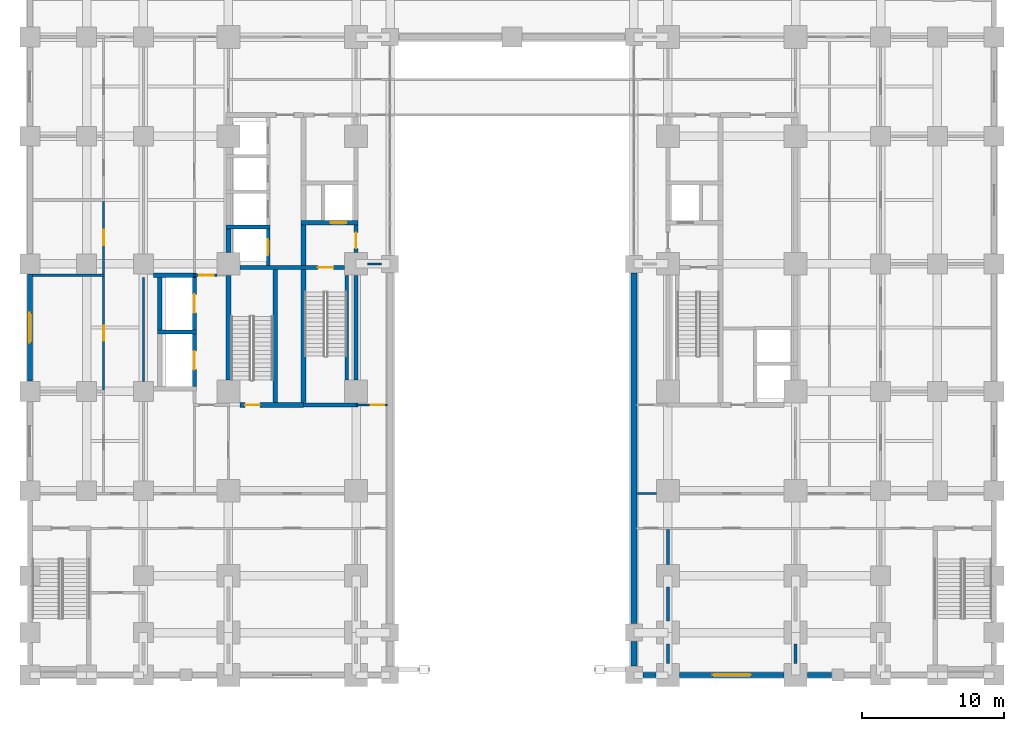
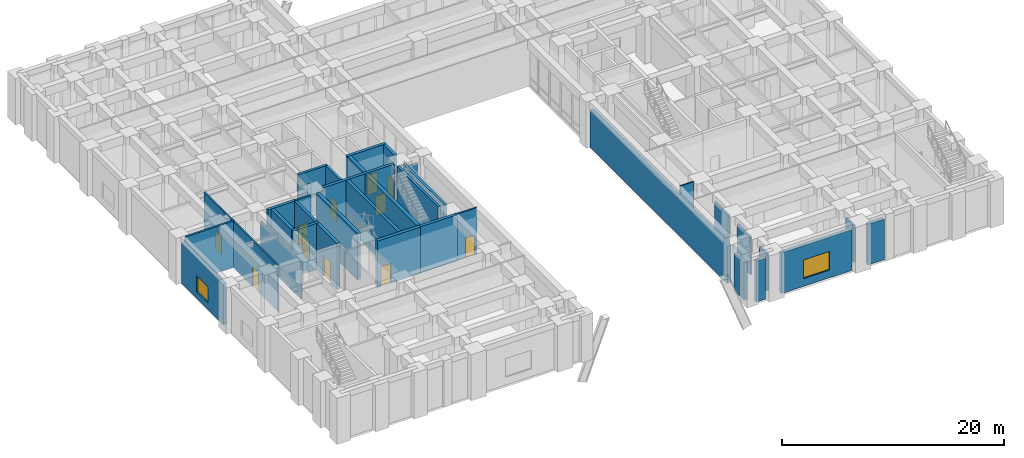
# One storey, part 11 of 23: 37 walls, 11 doors, 2 windows, 13 openings.
"""IFC4 building model written with IfcOpenShell, lengths in metres."""

import ifcopenshell
import ifcopenshell.guid

model = None  # the IFC model being written
_history = None  # IfcOwnerHistory: only IFC2X3 demands one
_inside = {}  # id of a spatial element -> (the spatial element, [elements in it])
_under = {}  # id of a project, library or spatial element -> (it, [spatial elements below it])
_declared = {}  # id of a project -> (the project, [libraries it declares])
_typed = {}  # id of a type object -> (the type object, [elements of that type])
_made_of = {}  # id of a material, layer set ... -> (it, [elements and type objects made of it])


def new_model(schema):
    """Start an empty IFC model of exactly this schema.

    Asked for "IFC4X3", IfcOpenShell would pick the latest addendum, in which some entities
    have other attributes; the version numbers below select the first issue.
    IFC2X3 requires an IfcOwnerHistory on every rooted entity: one is made here for all.
    """
    global model, _history
    if schema == "IFC4X3":
        model = ifcopenshell.file(schema_version=(4, 3, 0, 0))
    else:
        model = ifcopenshell.file(schema=schema)
    _inside.clear()
    _under.clear()
    _declared.clear()
    _typed.clear()
    _made_of.clear()
    _history = None
    if model.schema == "IFC2X3":
        org = make("IfcOrganization", Name="unknown")
        user = make(
            "IfcPersonAndOrganization",
            ThePerson=make("IfcPerson", FamilyName="unknown"),
            TheOrganization=org,
        )
        app = make(
            "IfcApplication",
            ApplicationDeveloper=org,
            Version="unknown",
            ApplicationFullName="unknown",
            ApplicationIdentifier="unknown",
        )
        _history = make(
            "IfcOwnerHistory",
            OwningUser=user,
            OwningApplication=app,
            ChangeAction="ADDED",
            CreationDate=0,
        )
    return model


def make(cls, **values):
    """One entity of the class cls with the attributes given. An attribute that is None is left unset."""
    return model.create_entity(
        cls, **{name: value for name, value in values.items() if value is not None}
    )


def rooted(cls, **values):
    """An entity with a GlobalId (a new one), such as an element, a storey or a relation."""
    return make(cls, GlobalId=ifcopenshell.guid.new(), OwnerHistory=_history, **values)


def si_unit(unit_type, name, prefix=None):
    """IfcSIUnit, for example si_unit("LENGTHUNIT", "METRE", prefix="MILLI")."""
    return make("IfcSIUnit", UnitType=unit_type, Prefix=prefix, Name=name)


def assignment(units):
    """IfcUnitAssignment: the units of a project."""
    return None if units is None else make("IfcUnitAssignment", Units=units)


def point(xyz):
    """IfcCartesianPoint."""
    return None if xyz is None else make("IfcCartesianPoint", Coordinates=xyz)


def direction(xyz):
    """IfcDirection."""
    return None if xyz is None else make("IfcDirection", DirectionRatios=xyz)


def frame(location, z_axis=None, x_axis=None):
    """IfcAxis2Placement3D, a coordinate frame: its origin and axes. An axis left out is left unset."""
    return make(
        "IfcAxis2Placement3D",
        Location=point(location),
        Axis=direction(z_axis),
        RefDirection=direction(x_axis),
    )


def frame_2d(location, x_axis=None):
    """IfcAxis2Placement2D, a coordinate frame in the plane: its origin and x axis."""
    return make(
        "IfcAxis2Placement2D", Location=point(location), RefDirection=direction(x_axis)
    )


def origin():
    """The frame at (0, 0, 0) with its axes left unset."""
    return frame((0.0, 0.0, 0.0))


def place(relative_to, where):
    """IfcLocalPlacement: puts the frame where relative to a parent placement (None: the world)."""
    return make(
        "IfcLocalPlacement", PlacementRelTo=relative_to, RelativePlacement=where
    )


def context(
    kind, dimensions, precision=None, world=None, true_north=None, identifier=None
):
    """IfcGeometricRepresentationContext, for example the 3D "Model" context."""
    return make(
        "IfcGeometricRepresentationContext",
        ContextIdentifier=identifier,
        ContextType=kind,
        CoordinateSpaceDimension=dimensions,
        Precision=precision,
        WorldCoordinateSystem=world,
        TrueNorth=true_north,
    )


def subcontext(parent, identifier, kind, view, scale=None):
    """IfcGeometricRepresentationSubContext, for example "Body" below "Model"."""
    return make(
        "IfcGeometricRepresentationSubContext",
        ContextIdentifier=identifier,
        ContextType=kind,
        ParentContext=parent,
        TargetScale=scale,
        TargetView=view,
    )


def project(units=None, contexts=None):
    """IfcProject with its units and contexts."""
    return rooted(
        "IfcProject",
        Name="project",
        RepresentationContexts=contexts,
        UnitsInContext=assignment(units),
    )


def spatial(cls, under=None, at=None, **own):
    """A site, building, storey or space (cls), placed at a placement, below another one or the project."""
    s = rooted(cls, ObjectPlacement=at, **own)
    if under is not None:
        _under.setdefault(under.id(), (under, []))[1].append(s)
    return s


def profile(cls, at=None, kind="AREA", **sizes):
    """A parametric profile (cls). Its sizes go by their IFC names, for example OverallWidth=200.0."""
    return make(cls, ProfileType=kind, Position=at, **sizes)


def rectangle(**sizes):
    """IfcRectangleProfileDef."""
    return profile("IfcRectangleProfileDef", **sizes)


def extrude(swept, where, along, depth):
    """IfcExtrudedAreaSolid: the profile swept, set in the frame where, extruded along a direction by depth."""
    return make(
        "IfcExtrudedAreaSolid",
        SweptArea=swept,
        Position=where,
        ExtrudedDirection=direction(along),
        Depth=depth,
    )


def shape(context_of_items, identifier, shape_type, items):
    """IfcShapeRepresentation: the items that make up one representation, for example the "Body"."""
    return make(
        "IfcShapeRepresentation",
        ContextOfItems=context_of_items,
        RepresentationIdentifier=identifier,
        RepresentationType=shape_type,
        Items=items,
    )


def material(Name=None, Category=None):
    """IfcMaterial."""
    return make("IfcMaterial", Name=Name, Category=Category)


def layer(
    of_material, thickness, ventilated=None, Name=None, Category=None, Priority=None
):
    """IfcMaterialLayer: one layer of a wall or slab, of a material (None: an air gap)."""
    return make(
        "IfcMaterialLayer",
        Material=of_material,
        LayerThickness=thickness,
        IsVentilated=ventilated,
        Name=Name,
        Category=Category,
        Priority=Priority,
    )


def layer_set(layers, Name=None):
    """IfcMaterialLayerSet."""
    return make("IfcMaterialLayerSet", MaterialLayers=layers, LayerSetName=Name)


def made_of(thing, what):
    """Note that an element or type object is made of a material, layer set ...; save() writes the relation."""
    if what is not None:
        _made_of.setdefault(what.id(), (what, []))[1].append(thing)
    return thing


def type_object(cls, material=None, **own):
    """A type object (cls), such as IfcWallType, which elements share."""
    return made_of(rooted(cls, **own), material)


def element(
    cls,
    number,
    at=None,
    inside=None,
    cuts=None,
    type_object=None,
    material=None,
    context=None,
    identifier="Body",
    shape_type=None,
    held_by="IfcProductDefinitionShape",
    body=None,
    shapes=None,
    **own,
):
    """One element of the class cls, such as IfcWall. Its Tag is "e" and its number.

    at: its placement. inside: the storey or other place that contains it. cuts: it is an
    opening in that element (IfcRelVoidsElement). A single representation is given by context,
    identifier, shape_type and body (its items); several are given by shapes. held_by: the class
    of the entity that holds the representations. save() writes the other relations.
    """
    e = rooted(cls, Tag="e%d" % number, ObjectPlacement=at, **own)
    if body is not None:
        shapes = [shape(context, identifier, shape_type, body)]
    if shapes is not None:
        e.Representation = make(held_by, Representations=shapes)
    if inside is not None:
        _inside.setdefault(inside.id(), (inside, []))[1].append(e)
    if cuts is not None:
        rooted(
            "IfcRelVoidsElement", RelatingBuildingElement=cuts, RelatedOpeningElement=e
        )
    if type_object is not None:
        _typed.setdefault(type_object.id(), (type_object, []))[1].append(e)
    return made_of(e, material)


def fill(opening, filler):
    """IfcRelFillsElement: the door or window that sits in an opening."""
    return rooted(
        "IfcRelFillsElement",
        RelatingOpeningElement=opening,
        RelatedBuildingElement=filler,
    )


def aggregate(whole, parts):
    """IfcRelAggregates: a whole, such as a stair, and the parts it consists of."""
    return rooted("IfcRelAggregates", RelatingObject=whole, RelatedObjects=parts)


def save(model, path):
    """Write the relations noted so far, then the file.

    IfcRelAggregates (storeys below a building ...), IfcRelContainedInSpatialStructure (elements
    in a storey), IfcRelDefinesByType, IfcRelAssociatesMaterial and IfcRelDeclares: one each for
    every whole, place, type object, material and project.
    """
    for whole, parts in _under.values():
        aggregate(whole, parts)
    for where, things in _inside.values():
        rooted(
            "IfcRelContainedInSpatialStructure",
            RelatedElements=things,
            RelatingStructure=where,
        )
    for kind, things in _typed.values():
        rooted("IfcRelDefinesByType", RelatedObjects=things, RelatingType=kind)
    for what, things in _made_of.values():
        rooted("IfcRelAssociatesMaterial", RelatedObjects=things, RelatingMaterial=what)
    for by, libraries in _declared.values():
        rooted("IfcRelDeclares", RelatingContext=by, RelatedDefinitions=libraries)
    model.write(path)


model = new_model("IFC4")

# Units and contexts
model_context = context("Model", 3, precision=1e-05, world=origin(), true_north=direction((0.0, 1.0)))
body_context = subcontext(model_context, "Body", "Model", "MODEL_VIEW")
ifc_project = project(units=[si_unit("LENGTHUNIT", "METRE"), si_unit("AREAUNIT", "SQUARE_METRE"), si_unit("VOLUMEUNIT", "CUBIC_METRE"), si_unit("PLANEANGLEUNIT", "RADIAN"), si_unit("MASSUNIT", "GRAM", prefix="KILO")], contexts=[model_context])

# Site, building, storey
site_placement = place(None, origin())
site = spatial("IfcSite", under=ifc_project, at=site_placement, CompositionType="ELEMENT")
building_placement = place(site_placement, origin())
building = spatial("IfcBuilding", under=site, at=building_placement, Name="Zulmaris Gate Convention Tower", CompositionType="ELEMENT")
storey_placement = place(building_placement, frame((0.0, 0.0, 10.8798828125)))
storey = spatial("IfcBuildingStorey", under=building, at=storey_placement, Name="L02", CompositionType="ELEMENT", Elevation=10.8798828125)

# Wall
ifc_material_1 = material(Name="Concrete C50/60", Category="concrete")
ifc_layer_1 = layer(ifc_material_1, 0.25, Name="Concrete C50/60")
ifc_layer_set_1 = layer_set([ifc_layer_1], Name="Concrete C50/60")
wall_type_1 = type_object("IfcWallType", Name="CORE-250", PredefinedType="SOLIDWALL", material=ifc_layer_set_1)
wall_1_placement = place(storey_placement, frame((-20.175048828125, 2.60009765625, 0.0), z_axis=(0.0, 0.0, 1.0), x_axis=(1.0, 0.0, 0.0)))
element("IfcWall", 1, at=wall_1_placement, inside=storey, type_object=wall_type_1, Name="WL-L02-016", PredefinedType="SOLIDWALL", context=body_context, shape_type="SweptSolid", body=[
    extrude(rectangle(XDim=3.10009765625, YDim=0.25, at=frame_2d((1.550048828125, 0.0))), origin(), (0.0, 0.0, 1.0), 5.09033203125),
])

# Wall, opening, door
wall_2_placement = place(storey_placement, frame((-17.199951171875, -0.097900390625, 0.0), z_axis=(0.0, 0.0, 1.0), x_axis=(0.0, 1.0, 0.0)))
wall_2 = element("IfcWall", 2, at=wall_2_placement, inside=storey, type_object=wall_type_1, Name="WL-L02-076", PredefinedType="SOLIDWALL", context=body_context, shape_type="SweptSolid", body=[
    extrude(rectangle(XDim=2.57080078125, YDim=0.25, at=frame_2d((1.285400390625, 0.0))), origin(), (0.0, 0.0, 1.0), 5.09033203125),
])
opening_1_placement = place(wall_2_placement, frame((0.722900390625, 0.0, 0.0)))
opening_1 = element("IfcOpeningElement", 3, at=opening_1_placement, cuts=wall_2, Name="Opening D-06", PredefinedType="OPENING", context=body_context, shape_type="SweptSolid", body=[
    extrude(rectangle(XDim=1.10009765625, YDim=2.199951171875, at=frame_2d((0.550048828125, 1.10009765625))), frame((0.0, 0.135009765625, 0.0), z_axis=(0.0, -1.0, 0.0), x_axis=(1.0, 0.0, 0.0)), (0.0, 0.0, 1.0), 0.27001953125),
])
ifc_material_2 = material(Name="Brushed Stainless Steel", Category="steel")
door_type_1 = type_object("IfcDoorType", Name="LD-1100", OperationType="NOTDEFINED", PredefinedType="DOOR", material=ifc_material_2)
door_1_placement = place(opening_1_placement, origin())
door_1 = element("IfcDoor", 4, at=door_1_placement, inside=storey, type_object=door_type_1, Name="L02 Lift Landing Door LP-01 11", OperationType="SLIDING_TO_LEFT", OverallHeight=2.199951171875, OverallWidth=1.10009765625, PredefinedType="DOOR", context=body_context, shape_type="SweptSolid", body=[
    extrude(rectangle(XDim=1.10009765625, YDim=2.199951171875, at=frame_2d((0.550048828125, 1.10009765625))), frame((0.0, 0.02490234375, 0.0), z_axis=(0.0, -1.0, 0.0), x_axis=(1.0, 0.0, 0.0)), (0.0, 0.0, 1.0), 0.050048828125),
])
fill(opening_1, door_1)

# Walls
wall_3_placement = place(storey_placement, frame((-11.64990234375, -8.196044921875, 0.0), z_axis=(0.0, 0.0, 1.0), x_axis=(0.0, 1.0, 0.0)))
element("IfcWall", 5, at=wall_3_placement, inside=storey, type_object=wall_type_1, Name="WL-L02-086", PredefinedType="SOLIDWALL", context=body_context, shape_type="SweptSolid", body=[
    extrude(rectangle(XDim=7.39208984375, YDim=0.25, at=frame_2d((3.696044921875, 0.0))), origin(), (0.0, 0.0, 1.0), 5.09033203125),
])
ifc_layer_2 = layer(ifc_material_1, 0.300048828125, Name="Concrete C50/60")
ifc_layer_set_2 = layer_set([ifc_layer_2], Name="Concrete C50/60")
wall_type_2 = type_object("IfcWallType", Name="CORE-300", PredefinedType="SHEAR", material=ifc_layer_set_2)
wall_4_placement = place(storey_placement, frame((-14.699951171875, -9.949951171875, 0.0), z_axis=(0.0, 0.0, 1.0), x_axis=(1.0, 0.0, 0.0)))
element("IfcWall", 6, at=wall_4_placement, inside=storey, type_object=wall_type_2, Name="WL-L02-006", PredefinedType="SHEAR", context=body_context, shape_type="SweptSolid", body=[
    extrude(rectangle(XDim=3.849853515625, YDim=0.300048828125, at=frame_2d((1.9248046875, 0.0))), origin(), (0.0, 0.0, 1.0), 5.09033203125),
])
wall_5_placement = place(storey_placement, frame((-25.0, -4.800048828125, 0.0), z_axis=(0.0, 0.0, 1.0), x_axis=(1.0, 0.0, 0.0)))
element("IfcWall", 7, at=wall_5_placement, inside=storey, type_object=wall_type_2, Name="WL-L02-011", PredefinedType="SHEAR", context=body_context, shape_type="SweptSolid", body=[
    extrude(rectangle(XDim=2.75, YDim=0.300048828125, at=frame_2d((1.375, 0.0))), origin(), (0.0, 0.0, 1.0), 5.09033203125),
])
wall_6_placement = place(storey_placement, frame((-25.2958984375, -0.800048828125, 0.0), z_axis=(0.0, 0.0, 1.0), x_axis=(1.0, 0.0, 0.0)))
element("IfcWall", 8, at=wall_6_placement, inside=storey, type_object=wall_type_2, Name="WL-L02-013", PredefinedType="SHEAR", context=body_context, shape_type="SweptSolid", body=[
    extrude(rectangle(XDim=3.0458984375, YDim=0.300048828125, at=frame_2d((1.52294921875, 0.0))), origin(), (0.0, 0.0, 1.0), 5.09033203125),
])

# Wall, opening, door
wall_7_placement = place(storey_placement, frame((-19.196044921875, -0.25, 0.0), z_axis=(0.0, 0.0, 1.0), x_axis=(1.0, 0.0, 0.0)))
wall_7 = element("IfcWall", 9, at=wall_7_placement, inside=storey, type_object=wall_type_2, Name="WL-L02-014", PredefinedType="SHEAR", context=body_context, shape_type="SweptSolid", body=[
    extrude(rectangle(XDim=7.39208984375, YDim=0.300048828125, at=frame_2d((3.696044921875, 0.0))), origin(), (0.0, 0.0, 1.0), 5.09033203125),
])
opening_2_placement = place(wall_7_placement, frame((5.49609375, 0.0, 0.0)))
opening_2 = element("IfcOpeningElement", 10, at=opening_2_placement, cuts=wall_7, Name="Opening D-08", PredefinedType="OPENING", context=body_context, shape_type="SweptSolid", body=[
    extrude(rectangle(XDim=1.10009765625, YDim=2.14990234375, at=frame_2d((0.550048828125, 1.074951171875))), frame((0.0, 0.16015625, 0.0), z_axis=(0.0, -1.0, 0.0), x_axis=(1.0, 0.0, 0.0)), (0.0, 0.0, 1.0), 0.320068359375),
])
ifc_material_3 = material(Name="Fire-Rated Steel", Category="steel")
door_type_2 = type_object("IfcDoorType", Name="DR-1100-FD", OperationType="NOTDEFINED", PredefinedType="DOOR", material=ifc_material_3)
door_2_placement = place(opening_2_placement, origin())
door_2 = element("IfcDoor", 11, at=door_2_placement, inside=storey, type_object=door_type_2, Name="L02 Exit Stair ST-1 Door 01", OperationType="SINGLE_SWING_RIGHT", OverallHeight=2.14990234375, OverallWidth=1.10009765625, PredefinedType="DOOR", context=body_context, shape_type="SweptSolid", body=[
    extrude(rectangle(XDim=1.10009765625, YDim=2.14990234375, at=frame_2d((0.550048828125, 1.074951171875))), frame((0.0, 0.02490234375, 0.0), z_axis=(0.0, -1.0, 0.0), x_axis=(1.0, 0.0, 0.0)), (0.0, 0.0, 1.0), 0.050048828125),
])
fill(opening_2, door_2)

wall_8_placement = place(storey_placement, frame((-14.875, 2.89990234375, 0.0), z_axis=(0.0, 0.0, 1.0), x_axis=(1.0, 0.0, 0.0)))
wall_8 = element("IfcWall", 12, at=wall_8_placement, inside=storey, type_object=wall_type_2, Name="WL-L02-017", PredefinedType="SHEAR", context=body_context, shape_type="SweptSolid", body=[
    extrude(rectangle(XDim=4.02490234375, YDim=0.300048828125, at=frame_2d((2.012451171875, 0.0))), origin(), (0.0, 0.0, 1.0), 5.09033203125),
])
opening_3_placement = place(wall_8_placement, frame((2.074951171875, 0.0, 0.0)))
opening_3 = element("IfcOpeningElement", 13, at=opening_3_placement, cuts=wall_8, Name="Opening D-06", PredefinedType="OPENING", context=body_context, shape_type="SweptSolid", body=[
    extrude(rectangle(XDim=1.10009765625, YDim=2.199951171875, at=frame_2d((0.550048828125, 1.10009765625))), frame((0.0, 0.16015625, 0.0), z_axis=(0.0, -1.0, 0.0), x_axis=(1.0, 0.0, 0.0)), (0.0, 0.0, 1.0), 0.320068359375),
])
door_3_placement = place(opening_3_placement, origin())
door_3 = element("IfcDoor", 14, at=door_3_placement, inside=storey, type_object=door_type_1, Name="L02 Lift Landing Door LF-01 03", OperationType="SLIDING_TO_LEFT", OverallHeight=2.199951171875, OverallWidth=1.10009765625, PredefinedType="DOOR", context=body_context, shape_type="SweptSolid", body=[
    extrude(rectangle(XDim=1.10009765625, YDim=2.199951171875, at=frame_2d((0.550048828125, 1.10009765625))), frame((0.0, 0.02490234375, 0.0), z_axis=(0.0, -1.0, 0.0), x_axis=(1.0, 0.0, 0.0)), (0.0, 0.0, 1.0), 0.050048828125),
])
fill(opening_3, door_3)

# Wall
wall_9_placement = place(storey_placement, frame((-24.85009765625, -4.64794921875, 0.0), z_axis=(0.0, 0.0, 1.0), x_axis=(0.0, 1.0, 0.0)))
element("IfcWall", 15, at=wall_9_placement, inside=storey, type_object=wall_type_2, Name="WL-L02-068", PredefinedType="SHEAR", context=body_context, shape_type="SweptSolid", body=[
    extrude(rectangle(XDim=3.696044921875, YDim=0.300048828125, at=frame_2d((1.84814453125, 0.0))), origin(), (0.0, 0.0, 1.0), 5.09033203125),
])

# Wall, opening, door
wall_10_placement = place(storey_placement, frame((-22.39990234375, -8.64794921875, 0.0), z_axis=(0.0, 0.0, 1.0), x_axis=(0.0, 1.0, 0.0)))
wall_10 = element("IfcWall", 16, at=wall_10_placement, inside=storey, type_object=wall_type_2, Name="WL-L02-069", PredefinedType="SHEAR", context=body_context, shape_type="SweptSolid", body=[
    extrude(rectangle(XDim=3.696044921875, YDim=0.300048828125, at=frame_2d((1.84814453125, 0.0))), origin(), (0.0, 0.0, 1.0), 5.09033203125),
])
opening_4_placement = place(wall_10_placement, frame((1.197998046875, 0.0, 0.0)))
opening_4 = element("IfcOpeningElement", 17, at=opening_4_placement, cuts=wall_10, Name="Opening D-07", PredefinedType="OPENING", context=body_context, shape_type="SweptSolid", body=[
    extrude(rectangle(XDim=1.300048828125, YDim=2.300048828125, at=frame_2d((0.64990234375, 1.14990234375))), frame((0.0, 0.16015625, 0.0), z_axis=(0.0, -1.0, 0.0), x_axis=(1.0, 0.0, 0.0)), (0.0, 0.0, 1.0), 0.320068359375),
])
ifc_material_4 = material(Name="Heavy-Duty Brushed Stainless Steel", Category="steel")
door_type_3 = type_object("IfcDoorType", Name="LD-1300", OperationType="NOTDEFINED", PredefinedType="DOOR", material=ifc_material_4)
door_4_placement = place(opening_4_placement, origin())
door_4 = element("IfcDoor", 18, at=door_4_placement, inside=storey, type_object=door_type_3, Name="L02 Goods Lift Door GL-01 17", OperationType="SLIDING_TO_LEFT", OverallHeight=2.300048828125, OverallWidth=1.300048828125, PredefinedType="DOOR", context=body_context, shape_type="SweptSolid", body=[
    extrude(rectangle(XDim=1.300048828125, YDim=2.300048828125, at=frame_2d((0.64990234375, 1.14990234375))), frame((0.0, 0.02490234375, 0.0), z_axis=(0.0, -1.0, 0.0), x_axis=(1.0, 0.0, 0.0)), (0.0, 0.0, 1.0), 0.050048828125),
])
fill(opening_4, door_4)

wall_11_placement = place(storey_placement, frame((-22.39990234375, -4.64794921875, 0.0), z_axis=(0.0, 0.0, 1.0), x_axis=(0.0, 1.0, 0.0)))
wall_11 = element("IfcWall", 19, at=wall_11_placement, inside=storey, type_object=wall_type_2, Name="WL-L02-070", PredefinedType="SHEAR", context=body_context, shape_type="SweptSolid", body=[
    extrude(rectangle(XDim=3.696044921875, YDim=0.300048828125, at=frame_2d((1.84814453125, 0.0))), origin(), (0.0, 0.0, 1.0), 5.09033203125),
])
opening_5_placement = place(wall_11_placement, frame((1.197998046875, 0.0, 0.0)))
opening_5 = element("IfcOpeningElement", 20, at=opening_5_placement, cuts=wall_11, Name="Opening D-07", PredefinedType="OPENING", context=body_context, shape_type="SweptSolid", body=[
    extrude(rectangle(XDim=1.300048828125, YDim=2.300048828125, at=frame_2d((0.64990234375, 1.14990234375))), frame((0.0, 0.16015625, 0.0), z_axis=(0.0, -1.0, 0.0), x_axis=(1.0, 0.0, 0.0)), (0.0, 0.0, 1.0), 0.320068359375),
])
door_5_placement = place(opening_5_placement, origin())
door_5 = element("IfcDoor", 21, at=door_5_placement, inside=storey, type_object=door_type_3, Name="L02 Goods Lift Door GL-02 18", OperationType="SLIDING_TO_LEFT", OverallHeight=2.300048828125, OverallWidth=1.300048828125, PredefinedType="DOOR", context=body_context, shape_type="SweptSolid", body=[
    extrude(rectangle(XDim=1.300048828125, YDim=2.300048828125, at=frame_2d((0.64990234375, 1.14990234375))), frame((0.0, 0.02490234375, 0.0), z_axis=(0.0, -1.0, 0.0), x_axis=(1.0, 0.0, 0.0)), (0.0, 0.0, 1.0), 0.050048828125),
])
fill(opening_5, door_5)

# Walls
wall_12_placement = place(storey_placement, frame((-16.699951171875, -9.77294921875, 0.0), z_axis=(0.0, 0.0, 1.0), x_axis=(0.0, 1.0, 0.0)))
element("IfcWall", 22, at=wall_12_placement, inside=storey, type_object=wall_type_2, Name="WL-L02-080", PredefinedType="SHEAR", context=body_context, shape_type="SweptSolid", body=[
    extrude(rectangle(XDim=9.370849609375, YDim=0.300048828125, at=frame_2d((4.685546875, 0.0))), origin(), (0.0, 0.0, 1.0), 5.09033203125),
])
wall_13_placement = place(storey_placement, frame((-11.0, -8.196044921875, 0.0), z_axis=(0.0, 0.0, 1.0), x_axis=(0.0, 1.0, 0.0)))
element("IfcWall", 23, at=wall_13_placement, inside=storey, type_object=wall_type_2, Name="WL-L02-087", PredefinedType="SHEAR", context=body_context, shape_type="SweptSolid", body=[
    extrude(rectangle(XDim=7.39208984375, YDim=0.300048828125, at=frame_2d((3.696044921875, 0.0))), origin(), (0.0, 0.0, 1.0), 5.09033203125),
])

# Wall, opening, door
wall_14_placement = place(storey_placement, frame((-11.0, 0.803955078125, 0.0), z_axis=(0.0, 0.0, 1.0), x_axis=(0.0, 1.0, 0.0)))
wall_14 = element("IfcWall", 24, at=wall_14_placement, inside=storey, type_object=wall_type_2, Name="WL-L02-088", PredefinedType="SHEAR", context=body_context, shape_type="SweptSolid", body=[
    extrude(rectangle(XDim=1.944091796875, YDim=0.300048828125, at=frame_2d((0.97216796875, 0.0))), origin(), (0.0, 0.0, 1.0), 5.09033203125),
])
opening_6_placement = place(wall_14_placement, frame((0.2958984375, 0.0, 0.0)))
opening_6 = element("IfcOpeningElement", 25, at=opening_6_placement, cuts=wall_14, Name="Opening D-08", PredefinedType="OPENING", context=body_context, shape_type="SweptSolid", body=[
    extrude(rectangle(XDim=1.10009765625, YDim=2.14990234375, at=frame_2d((0.550048828125, 1.074951171875))), frame((0.0, 0.16015625, 0.0), z_axis=(0.0, -1.0, 0.0), x_axis=(1.0, 0.0, 0.0)), (0.0, 0.0, 1.0), 0.320068359375),
])
door_6_placement = place(opening_6_placement, origin())
door_6 = element("IfcDoor", 26, at=door_6_placement, inside=storey, type_object=door_type_2, Name="L02 West Firefighting Lobby Door 02", OperationType="SINGLE_SWING_LEFT", OverallHeight=2.14990234375, OverallWidth=1.10009765625, PredefinedType="DOOR", context=body_context, shape_type="SweptSolid", body=[
    extrude(rectangle(XDim=1.10009765625, YDim=2.14990234375, at=frame_2d((0.550048828125, 1.074951171875))), frame((0.0, 0.02490234375, 0.0), z_axis=(0.0, -1.0, 0.0), x_axis=(1.0, 0.0, 0.0)), (0.0, 0.0, 1.0), 0.050048828125),
])
fill(opening_6, door_6)

ifc_material_5 = material(Name="Concrete C55/67", Category="concrete")
ifc_layer_3 = layer(ifc_material_5, 0.35009765625, Name="Concrete C55/67")
ifc_layer_set_3 = layer_set([ifc_layer_3], Name="Concrete C55/67")
wall_type_3 = type_object("IfcWallType", Name="CORE-350", PredefinedType="SHEAR", material=ifc_layer_set_3)
wall_15_placement = place(storey_placement, frame((-19.196044921875, -9.949951171875, 0.0), z_axis=(0.0, 0.0, 1.0), x_axis=(1.0, 0.0, 0.0)))
wall_15 = element("IfcWall", 27, at=wall_15_placement, inside=storey, type_object=wall_type_3, Name="WL-L02-005", PredefinedType="SHEAR", context=body_context, shape_type="SweptSolid", body=[
    extrude(rectangle(XDim=4.49609375, YDim=0.35009765625, at=frame_2d((2.248046875, 0.0))), origin(), (0.0, 0.0, 1.0), 5.09033203125),
])
opening_7_placement = place(wall_15_placement, frame((0.37109375, 0.0, 0.0)))
opening_7 = element("IfcOpeningElement", 28, at=opening_7_placement, cuts=wall_15, Name="Opening D-09", PredefinedType="OPENING", context=body_context, shape_type="SweptSolid", body=[
    extrude(rectangle(XDim=1.050048828125, YDim=2.14990234375, at=frame_2d((0.52490234375, 1.074951171875))), frame((0.0, 0.18505859375, 0.0), z_axis=(0.0, -1.0, 0.0), x_axis=(1.0, 0.0, 0.0)), (0.0, 0.0, 1.0), 0.3701171875),
])
door_type_4 = type_object("IfcDoorType", Name="DR-1050-FD", OperationType="NOTDEFINED", PredefinedType="DOOR", material=ifc_material_3)
door_7_placement = place(opening_7_placement, origin())
door_7 = element("IfcDoor", 29, at=door_7_placement, inside=storey, type_object=door_type_4, Name="L02 Exit Stair ST-3 Door 09", OperationType="SINGLE_SWING_RIGHT", OverallHeight=2.14990234375, OverallWidth=1.050048828125, PredefinedType="DOOR", context=body_context, shape_type="SweptSolid", body=[
    extrude(rectangle(XDim=1.050048828125, YDim=2.14990234375, at=frame_2d((0.52490234375, 1.074951171875))), frame((0.0, 0.02490234375, 0.0), z_axis=(0.0, -1.0, 0.0), x_axis=(1.0, 0.0, 0.0)), (0.0, 0.0, 1.0), 0.050048828125),
])
fill(opening_7, door_7)

# Walls
wall_16_placement = place(storey_placement, frame((-20.0, -8.196044921875, 0.0), z_axis=(0.0, 0.0, 1.0), x_axis=(0.0, 1.0, 0.0)))
element("IfcWall", 30, at=wall_16_placement, inside=storey, type_object=wall_type_3, Name="WL-L02-071", PredefinedType="SHEAR", context=body_context, shape_type="SweptSolid", body=[
    extrude(rectangle(XDim=7.39208984375, YDim=0.35009765625, at=frame_2d((3.696044921875, 0.0))), origin(), (0.0, 0.0, 1.0), 5.09033203125),
])
wall_17_placement = place(storey_placement, frame((-20.0, 0.803955078125, 0.0), z_axis=(0.0, 0.0, 1.0), x_axis=(0.0, 1.0, 0.0)))
element("IfcWall", 31, at=wall_17_placement, inside=storey, type_object=wall_type_3, Name="WL-L02-072", PredefinedType="SHEAR", context=body_context, shape_type="SweptSolid", body=[
    extrude(rectangle(XDim=1.6689453125, YDim=0.35009765625, at=frame_2d((0.83447265625, 0.0))), origin(), (0.0, 0.0, 1.0), 5.09033203125),
])
wall_18_placement = place(storey_placement, frame((-14.699951171875, -9.77294921875, 0.0), z_axis=(0.0, 0.0, 1.0), x_axis=(0.0, 1.0, 0.0)))
element("IfcWall", 32, at=wall_18_placement, inside=storey, type_object=wall_type_3, Name="WL-L02-081", PredefinedType="SHEAR", context=body_context, shape_type="SweptSolid", body=[
    extrude(rectangle(XDim=9.370849609375, YDim=0.35009765625, at=frame_2d((4.685546875, 0.0))), origin(), (0.0, 0.0, 1.0), 5.09033203125),
])
wall_19_placement = place(storey_placement, frame((-14.699951171875, -0.097900390625, 0.0), z_axis=(0.0, 0.0, 1.0), x_axis=(0.0, 1.0, 0.0)))
element("IfcWall", 33, at=wall_19_placement, inside=storey, type_object=wall_type_3, Name="WL-L02-082", PredefinedType="SHEAR", context=body_context, shape_type="SweptSolid", body=[
    extrude(rectangle(XDim=2.845947265625, YDim=0.35009765625, at=frame_2d((1.4228515625, 0.0))), origin(), (0.0, 0.0, 1.0), 5.09033203125),
])
ifc_material_6 = material(Name="Gypsum Metal Stud Partition")
ifc_layer_4 = layer(ifc_material_6, 0.14990234375, Name="Gypsum Metal Stud Partition")
ifc_layer_set_4 = layer_set([ifc_layer_4], Name="Gypsum Metal Stud Partition")
wall_type_4 = type_object("IfcWallType", Name="PART-150", PredefinedType="PARTITIONING", material=ifc_layer_set_4)
wall_20_placement = place(storey_placement, frame((8.764892578125, -16.199951171875, 0.0), z_axis=(0.0, 0.0, 1.0), x_axis=(1.0, 0.0, 0.0)))
element("IfcWall", 34, at=wall_20_placement, inside=storey, type_object=wall_type_4, Name="WL-L02-033", PredefinedType="PARTITIONING", context=body_context, shape_type="SweptSolid", body=[
    extrude(rectangle(XDim=1.42919921875, YDim=0.14990234375, at=frame_2d((0.714599609375, 0.0))), origin(), (0.0, 0.0, 1.0), 5.09033203125),
])

# Wall, opening, door
wall_21_placement = place(storey_placement, frame((-11.0, -9.949951171875, 0.0), z_axis=(0.0, 0.0, 1.0), x_axis=(1.0, 0.0, 0.0)))
wall_21 = element("IfcWall", 35, at=wall_21_placement, inside=storey, type_object=wall_type_4, Name="WL-L02-035", PredefinedType="PARTITIONING", context=body_context, shape_type="SweptSolid", body=[
    extrude(rectangle(XDim=2.235107421875, YDim=0.14990234375, at=frame_2d((1.11767578125, 0.0))), origin(), (0.0, 0.0, 1.0), 5.09033203125),
])
opening_8_placement = place(wall_21_placement, frame((1.044921875, 0.0, 0.0)))
opening_8 = element("IfcOpeningElement", 36, at=opening_8_placement, cuts=wall_21, Name="Opening D-11", PredefinedType="OPENING", context=body_context, shape_type="SweptSolid", body=[
    extrude(rectangle(XDim=0.949951171875, YDim=2.14990234375, at=frame_2d((0.47509765625, 1.074951171875))), frame((0.0, 0.0849609375, 0.0), z_axis=(0.0, -1.0, 0.0), x_axis=(1.0, 0.0, 0.0)), (0.0, 0.0, 1.0), 0.169921875),
])
ifc_material_7 = material(Name="Fire-Rated Timber", Category="wood")
door_type_5 = type_object("IfcDoorType", Name="DR-950-FD", OperationType="NOTDEFINED", PredefinedType="DOOR", material=ifc_material_7)
door_8_placement = place(opening_8_placement, origin())
door_8 = element("IfcDoor", 37, at=door_8_placement, inside=storey, type_object=door_type_5, Name="L02 SW Arch Store Door 23", OperationType="SINGLE_SWING_RIGHT", OverallHeight=2.14990234375, OverallWidth=0.949951171875, PredefinedType="DOOR", context=body_context, shape_type="SweptSolid", body=[
    extrude(rectangle(XDim=0.949951171875, YDim=2.14990234375, at=frame_2d((0.47509765625, 1.074951171875))), frame((0.0, 0.02490234375, 0.0), z_axis=(0.0, -1.0, 0.0), x_axis=(1.0, 0.0, 0.0)), (0.0, 0.0, 1.0), 0.050048828125),
])
fill(opening_8, door_8)

# Wall
wall_22_placement = place(storey_placement, frame((-10.194091796875, 0.0, 0.0), z_axis=(0.0, 0.0, 1.0), x_axis=(1.0, 0.0, 0.0)))
element("IfcWall", 38, at=wall_22_placement, inside=storey, type_object=wall_type_4, Name="WL-L02-043", PredefinedType="PARTITIONING", context=body_context, shape_type="SweptSolid", body=[
    extrude(rectangle(XDim=0.988037109375, YDim=0.14990234375, at=frame_2d((0.494140625, 0.0))), origin(), (0.0, 0.0, 1.0), 4.13232421875),
])

# Wall, opening, door
wall_23_placement = place(storey_placement, frame((-28.800048828125, -8.89697265625, 0.0), z_axis=(0.0, 0.0, 1.0), x_axis=(0.0, 1.0, 0.0)))
wall_23 = element("IfcWall", 39, at=wall_23_placement, inside=storey, type_object=wall_type_4, Name="WL-L02-110", PredefinedType="PARTITIONING", context=body_context, shape_type="SweptSolid", body=[
    extrude(rectangle(XDim=7.993896484375, YDim=0.14990234375, at=frame_2d((3.9970703125, 0.0))), origin(), (0.0, 0.0, 1.0), 5.09033203125),
])
opening_9_placement = place(wall_23_placement, frame((3.471923828125, 0.0, 0.0)))
opening_9 = element("IfcOpeningElement", 40, at=opening_9_placement, cuts=wall_23, Name="Opening D-09", PredefinedType="OPENING", context=body_context, shape_type="SweptSolid", body=[
    extrude(rectangle(XDim=1.050048828125, YDim=2.14990234375, at=frame_2d((0.52490234375, 1.074951171875))), frame((0.0, 0.0849609375, 0.0), z_axis=(0.0, -1.0, 0.0), x_axis=(1.0, 0.0, 0.0)), (0.0, 0.0, 1.0), 0.169921875),
])
door_9_placement = place(opening_9_placement, origin())
door_9 = element("IfcDoor", 41, at=door_9_placement, inside=storey, type_object=door_type_4, Name="L02 SW Workshop WL2 Door 62", OperationType="SINGLE_SWING_LEFT", OverallHeight=2.14990234375, OverallWidth=1.050048828125, PredefinedType="DOOR", context=body_context, shape_type="SweptSolid", body=[
    extrude(rectangle(XDim=1.050048828125, YDim=2.14990234375, at=frame_2d((0.52490234375, 1.074951171875))), frame((0.0, 0.02490234375, 0.0), z_axis=(0.0, -1.0, 0.0), x_axis=(1.0, 0.0, 0.0)), (0.0, 0.0, 1.0), 0.050048828125),
])
fill(opening_9, door_9)

wall_24_placement = place(storey_placement, frame((-28.800048828125, -0.697021484375, 0.0), z_axis=(0.0, 0.0, 1.0), x_axis=(0.0, 1.0, 0.0)))
wall_24 = element("IfcWall", 42, at=wall_24_placement, inside=storey, type_object=wall_type_4, Name="WL-L02-111", PredefinedType="PARTITIONING", context=body_context, shape_type="SweptSolid", body=[
    extrude(rectangle(XDim=5.093994140625, YDim=0.14990234375, at=frame_2d((2.546875, 0.0))), origin(), (0.0, 0.0, 1.0), 5.09033203125),
])
opening_10_placement = place(wall_24_placement, frame((1.9970703125, 0.0, 0.0)))
opening_10 = element("IfcOpeningElement", 43, at=opening_10_placement, cuts=wall_24, Name="Opening D-08", PredefinedType="OPENING", context=body_context, shape_type="SweptSolid", body=[
    extrude(rectangle(XDim=1.10009765625, YDim=2.14990234375, at=frame_2d((0.550048828125, 1.074951171875))), frame((0.0, 0.0849609375, 0.0), z_axis=(0.0, -1.0, 0.0), x_axis=(1.0, 0.0, 0.0)), (0.0, 0.0, 1.0), 0.169921875),
])
door_10_placement = place(opening_10_placement, origin())
door_10 = element("IfcDoor", 44, at=door_10_placement, inside=storey, type_object=door_type_2, Name="L02 West Room WU1 Door 63", OperationType="SINGLE_SWING_RIGHT", OverallHeight=2.14990234375, OverallWidth=1.10009765625, PredefinedType="DOOR", context=body_context, shape_type="SweptSolid", body=[
    extrude(rectangle(XDim=1.10009765625, YDim=2.14990234375, at=frame_2d((0.550048828125, 1.074951171875))), frame((0.0, 0.02490234375, 0.0), z_axis=(0.0, -1.0, 0.0), x_axis=(1.0, 0.0, 0.0)), (0.0, 0.0, 1.0), 0.050048828125),
])
fill(opening_10, door_10)

# Walls
wall_25_placement = place(storey_placement, frame((-26.0, -8.2939453125, 0.0), z_axis=(0.0, 0.0, 1.0), x_axis=(0.0, 1.0, 0.0)))
element("IfcWall", 45, at=wall_25_placement, inside=storey, type_object=wall_type_4, Name="WL-L02-117", PredefinedType="PARTITIONING", context=body_context, shape_type="SweptSolid", body=[
    extrude(rectangle(XDim=7.341064453125, YDim=0.14990234375, at=frame_2d((3.67041015625, 0.0))), origin(), (0.0, 0.0, 1.0), 4.13232421875),
])
ifc_material_8 = material(Name="Autoclaved Aerated Concrete Block and Plasterboard", Category="concrete")
ifc_layer_5 = layer(ifc_material_8, 0.199951171875, Name="Autoclaved Aerated Concrete Block and Plasterboard")
ifc_layer_set_5 = layer_set([ifc_layer_5], Name="Autoclaved Aerated Concrete Block and Plasterboard")
wall_type_5 = type_object("IfcWallType", Name="PART-200", PredefinedType="PARTITIONING", material=ifc_layer_set_5)
wall_26_placement = place(storey_placement, frame((-33.8349609375, -0.800048828125, 0.0), z_axis=(0.0, 0.0, 1.0), x_axis=(1.0, 0.0, 0.0)))
element("IfcWall", 46, at=wall_26_placement, inside=storey, type_object=wall_type_5, Name="WL-L02-041", PredefinedType="PARTITIONING", context=body_context, shape_type="SweptSolid", body=[
    extrude(rectangle(XDim=5.10986328125, YDim=0.199951171875, at=frame_2d((2.554931640625, 0.0))), origin(), (0.0, 0.0, 1.0), 5.09033203125),
])

# Wall, opening, door
wall_27_placement = place(storey_placement, frame((-22.47509765625, -0.800048828125, 0.0), z_axis=(0.0, 0.0, 1.0), x_axis=(1.0, 0.0, 0.0)))
wall_27 = element("IfcWall", 47, at=wall_27_placement, inside=storey, type_object=wall_type_5, Name="WL-L02-042", PredefinedType="PARTITIONING", context=body_context, shape_type="SweptSolid", body=[
    extrude(rectangle(XDim=1.669189453125, YDim=0.199951171875, at=frame_2d((0.83447265625, 0.0))), origin(), (0.0, 0.0, 1.0), 5.09033203125),
])
opening_11_placement = place(wall_27_placement, frame((0.425048828125, 0.0, 0.0)))
opening_11 = element("IfcOpeningElement", 48, at=opening_11_placement, cuts=wall_27, Name="Opening D-10", PredefinedType="OPENING", context=body_context, shape_type="SweptSolid", body=[
    extrude(rectangle(XDim=1.0, YDim=2.14990234375, at=frame_2d((0.5, 1.074951171875))), frame((0.0, 0.10986328125, 0.0), z_axis=(0.0, -1.0, 0.0), x_axis=(1.0, 0.0, 0.0)), (0.0, 0.0, 1.0), 0.219970703125),
])
door_type_6 = type_object("IfcDoorType", Name="DR-1000-FD", OperationType="NOTDEFINED", PredefinedType="DOOR", material=ifc_material_7)
door_11_placement = place(opening_11_placement, origin())
door_11 = element("IfcDoor", 49, at=door_11_placement, inside=storey, type_object=door_type_6, Name="L02 Goods Lobby Door 19", OperationType="SINGLE_SWING_RIGHT", OverallHeight=2.14990234375, OverallWidth=1.0, PredefinedType="DOOR", context=body_context, shape_type="SweptSolid", body=[
    extrude(rectangle(XDim=1.0, YDim=2.14990234375, at=frame_2d((0.5, 1.074951171875))), frame((0.0, 0.02490234375, 0.0), z_axis=(0.0, -1.0, 0.0), x_axis=(1.0, 0.0, 0.0)), (0.0, 0.0, 1.0), 0.050048828125),
])
fill(opening_11, door_11)

# Walls
wall_28_placement = place(storey_placement, frame((11.0, -28.194091796875, 0.0), z_axis=(0.0, 0.0, 1.0), x_axis=(0.0, 1.0, 0.0)))
element("IfcWall", 50, at=wall_28_placement, inside=storey, type_object=wall_type_5, Name="WL-L02-135", PredefinedType="PARTITIONING", context=body_context, shape_type="SweptSolid", body=[
    extrude(rectangle(XDim=1.38818359375, YDim=0.199951171875, at=frame_2d((0.694091796875, 0.0))), origin(), (0.0, 0.0, 1.0), 4.13232421875),
])
wall_29_placement = place(storey_placement, frame((11.0, -25.194091796875, 0.0), z_axis=(0.0, 0.0, 1.0), x_axis=(0.0, 1.0, 0.0)))
element("IfcWall", 51, at=wall_29_placement, inside=storey, type_object=wall_type_5, Name="WL-L02-135S1", PredefinedType="PARTITIONING", context=body_context, shape_type="SweptSolid", body=[
    extrude(rectangle(XDim=2.38818359375, YDim=0.199951171875, at=frame_2d((1.194091796875, 0.0))), origin(), (0.0, 0.0, 1.0), 4.13232421875),
])
wall_30_placement = place(storey_placement, frame((11.0, -21.194091796875, 0.0), z_axis=(0.0, 0.0, 1.0), x_axis=(0.0, 1.0, 0.0)))
element("IfcWall", 52, at=wall_30_placement, inside=storey, type_object=wall_type_5, Name="WL-L02-135S2", PredefinedType="PARTITIONING", context=body_context, shape_type="SweptSolid", body=[
    extrude(rectangle(XDim=2.466064453125, YDim=0.199951171875, at=frame_2d((1.23291015625, 0.0))), origin(), (0.0, 0.0, 1.0), 4.13232421875),
])
wall_31_placement = place(storey_placement, frame((20.0, -28.194091796875, 0.0), z_axis=(0.0, 0.0, 1.0), x_axis=(0.0, 1.0, 0.0)))
element("IfcWall", 53, at=wall_31_placement, inside=storey, type_object=wall_type_5, Name="WL-L02-140", PredefinedType="PARTITIONING", context=body_context, shape_type="SweptSolid", body=[
    extrude(rectangle(XDim=1.38818359375, YDim=0.199951171875, at=frame_2d((0.694091796875, 0.0))), origin(), (0.0, 0.0, 1.0), 4.13232421875),
])
ifc_material_9 = material(Name="Precast concrete C50/60", Category="concrete")
ifc_layer_6 = layer(ifc_material_9, 0.39990234375, Name="Precast concrete C50/60")
ifc_layer_set_6 = layer_set([ifc_layer_6], Name="Precast concrete C50/60")
wall_type_6 = type_object("IfcWallType", Name="PRECAST-ARCH-400", PredefinedType="STANDARD", material=ifc_layer_set_6)
wall_32_placement = place(storey_placement, frame((8.60009765625, -0.64990234375, 0.0), z_axis=(0.0, 0.0, 1.0), x_axis=(0.0, -1.0, 0.0)))
element("IfcWall", 54, at=wall_32_placement, inside=storey, type_object=wall_type_6, Name="EW-L02-ARCH-ES_0", PredefinedType="STANDARD", context=body_context, shape_type="SweptSolid", body=[
    extrude(rectangle(XDim=24.72021484375, YDim=0.39990234375, at=frame_2d((12.360107421875, 0.0))), origin(), (0.0, 0.0, 1.0), 4.13232421875),
])
wall_33_placement = place(storey_placement, frame((8.60009765625, -26.6298828125, 0.0), z_axis=(0.0, 0.0, 1.0), x_axis=(0.0, -1.0, 0.0)))
element("IfcWall", 55, at=wall_33_placement, inside=storey, type_object=wall_type_6, Name="EW-L02-ARCH-ES_1", PredefinedType="STANDARD", context=body_context, shape_type="SweptSolid", body=[
    extrude(rectangle(XDim=1.72021484375, YDim=0.39990234375, at=frame_2d((0.860107421875, 0.0))), origin(), (0.0, 0.0, 1.0), 4.13232421875),
])
ifc_material_10 = material(Name="Precast concrete C45/55", Category="concrete")
ifc_layer_7 = layer(ifc_material_10, 0.35009765625, Name="Precast concrete C45/55")
ifc_layer_set_7 = layer_set([ifc_layer_7], Name="Precast concrete C45/55")
wall_type_7 = type_object("IfcWallType", Name="PRECAST-POD-350", PredefinedType="STANDARD", material=ifc_layer_set_7)
wall_34_placement = place(storey_placement, frame((9.22998046875, -29.0, 0.0), z_axis=(0.0, 0.0, 1.0), x_axis=(1.0, 0.0, 0.0)))
element("IfcWall", 56, at=wall_34_placement, inside=storey, type_object=wall_type_7, Name="EW-L02-S-86_0", PredefinedType="STANDARD", context=body_context, shape_type="SweptSolid", body=[
    extrude(rectangle(XDim=0.93994140625, YDim=0.35009765625, at=frame_2d((0.469970703125, 0.0))), origin(), (0.0, 0.0, 1.0), 4.482177734375),
])

# Wall, opening, window
wall_35_placement = place(storey_placement, frame((11.830078125, -29.0, 0.0), z_axis=(0.0, 0.0, 1.0), x_axis=(1.0, 0.0, 0.0)))
wall_35 = element("IfcWall", 57, at=wall_35_placement, inside=storey, type_object=wall_type_7, Name="EW-L02-S-110_0", PredefinedType="STANDARD", context=body_context, shape_type="SweptSolid", body=[
    extrude(rectangle(XDim=7.33984375, YDim=0.35009765625, at=frame_2d((3.669921875, 0.0))), origin(), (0.0, 0.0, 1.0), 4.482177734375),
])
opening_12_placement = place(wall_35_placement, frame((2.320068359375, 0.0, 0.85009765625)))
opening_12 = element("IfcOpeningElement", 58, at=opening_12_placement, cuts=wall_35, Name="Opening W-09", PredefinedType="OPENING", context=body_context, shape_type="SweptSolid", body=[
    extrude(rectangle(XDim=2.699951171875, YDim=2.050048828125, at=frame_2d((1.35009765625, 1.02490234375))), frame((0.0, 0.18505859375, 0.0), z_axis=(0.0, -1.0, 0.0), x_axis=(1.0, 0.0, 0.0)), (0.0, 0.0, 1.0), 0.3701171875),
])
ifc_material_11 = material(Name="Low-E Laminated Double Glazing in Aluminium Frame", Category="aluminium")
window_type_1 = type_object("IfcWindowType", Name="WIN-2700x2300", PartitioningType="SINGLE_PANEL", PredefinedType="WINDOW", material=ifc_material_11)
window_1_placement = place(opening_12_placement, origin())
window_1 = element("IfcWindow", 59, at=window_1_placement, inside=storey, type_object=window_type_1, Name="WN-EW-L02-S-110_0", OverallHeight=2.050048828125, OverallWidth=2.699951171875, PartitioningType="SINGLE_PANEL", PredefinedType="WINDOW", context=body_context, shape_type="SweptSolid", body=[
    extrude(rectangle(XDim=2.699951171875, YDim=2.050048828125, at=frame_2d((1.35009765625, 1.02490234375))), frame((0.0, 0.030029296875, 0.0), z_axis=(0.0, -1.0, 0.0), x_axis=(1.0, 0.0, 0.0)), (0.0, 0.0, 1.0), 0.06005859375),
])
fill(opening_12, window_1)

# Wall
wall_36_placement = place(storey_placement, frame((20.830078125, -29.0, 0.0), z_axis=(0.0, 0.0, 1.0), x_axis=(1.0, 0.0, 0.0)))
element("IfcWall", 60, at=wall_36_placement, inside=storey, type_object=wall_type_7, Name="EW-L02-S-200_0", PredefinedType="STANDARD", context=body_context, shape_type="SweptSolid", body=[
    extrude(rectangle(XDim=1.71484375, YDim=0.35009765625, at=frame_2d((0.857421875, 0.0))), origin(), (0.0, 0.0, 1.0), 4.482177734375),
])

# Wall, opening, window
wall_37_placement = place(storey_placement, frame((-34.0, -8.27001953125, 0.0), z_axis=(0.0, 0.0, 1.0), x_axis=(0.0, 1.0, 0.0)))
wall_37 = element("IfcWall", 61, at=wall_37_placement, inside=storey, type_object=wall_type_7, Name="EW-L02-W--9_0", PredefinedType="STANDARD", context=body_context, shape_type="SweptSolid", body=[
    extrude(rectangle(XDim=7.5400390625, YDim=0.35009765625, at=frame_2d((3.77001953125, 0.0))), origin(), (0.0, 0.0, 1.0), 4.482177734375),
])
opening_13_placement = place(wall_37_placement, frame((2.719970703125, 0.0, 0.75)))
opening_13 = element("IfcOpeningElement", 62, at=opening_13_placement, cuts=wall_37, Name="Opening W-05", PredefinedType="OPENING", context=body_context, shape_type="SweptSolid", body=[
    extrude(rectangle(XDim=2.10009765625, YDim=1.75, at=frame_2d((1.050048828125, 0.875))), frame((0.0, 0.18505859375, 0.0), z_axis=(0.0, -1.0, 0.0), x_axis=(1.0, 0.0, 0.0)), (0.0, 0.0, 1.0), 0.3701171875),
])
window_type_2 = type_object("IfcWindowType", Name="WIN-2100x2400", PartitioningType="SINGLE_PANEL", PredefinedType="WINDOW", material=ifc_material_11)
window_2_placement = place(opening_13_placement, origin())
window_2 = element("IfcWindow", 63, at=window_2_placement, inside=storey, type_object=window_type_2, Name="WN-EW-L02-W--9_0", OverallHeight=1.75, OverallWidth=2.10009765625, PartitioningType="SINGLE_PANEL", PredefinedType="WINDOW", context=body_context, shape_type="SweptSolid", body=[
    extrude(rectangle(XDim=2.10009765625, YDim=1.75, at=frame_2d((1.050048828125, 0.875))), frame((0.0, 0.030029296875, 0.0), z_axis=(0.0, -1.0, 0.0), x_axis=(1.0, 0.0, 0.0)), (0.0, 0.0, 1.0), 0.06005859375),
])
fill(opening_13, window_2)

save(model, "model.ifc")
